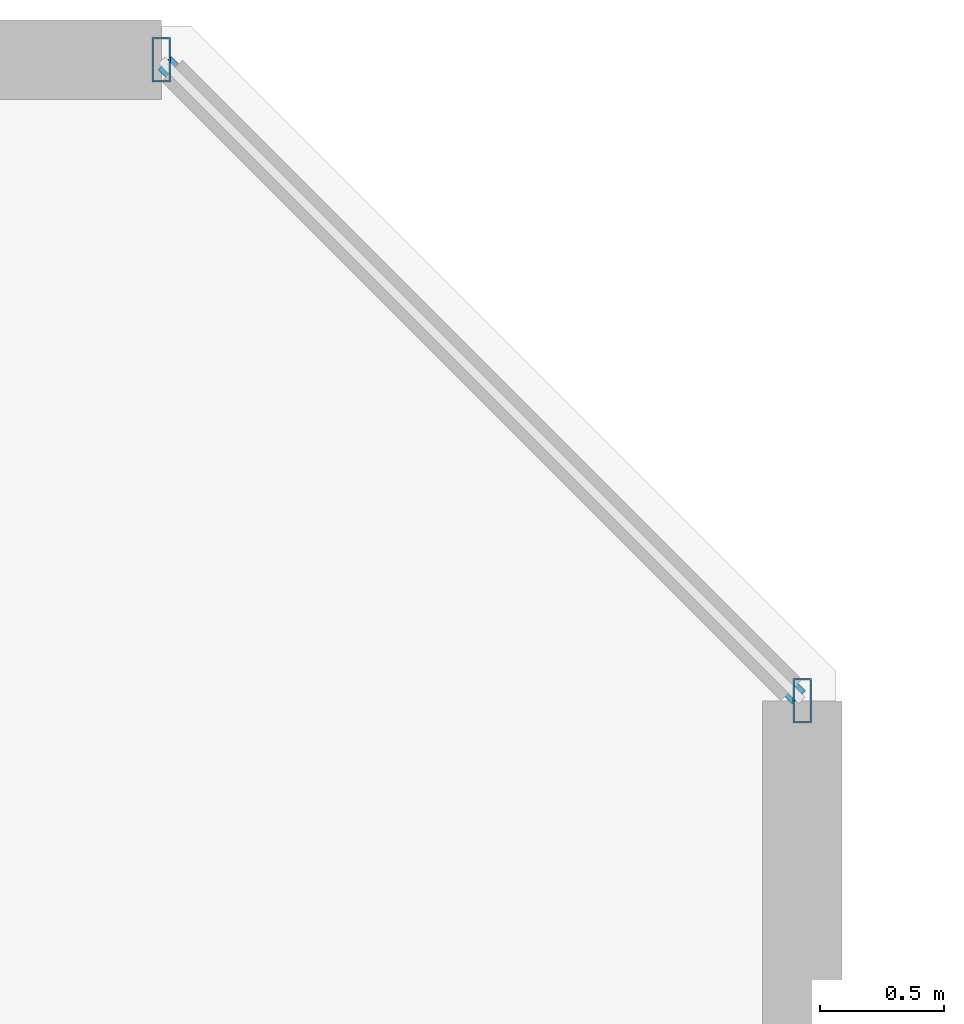
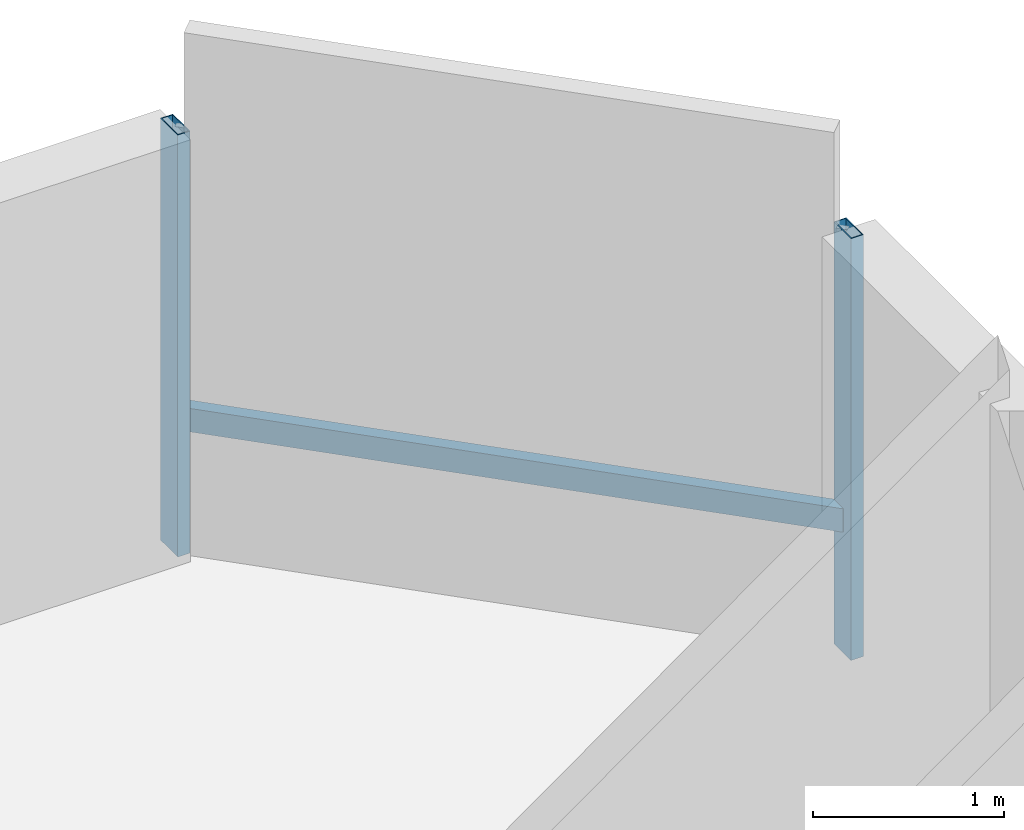
# One storey, part 16 of 32: 3 members, 1 element without a shape of its own.
"""IFC4 building model written with IfcOpenShell, lengths in metres."""

from ifc_helpers import new_model, si_unit, direction, frame, origin, origin_2d, place, context, subcontext, project, spatial, hollow_rectangle, extrude, material, material_profile, profile_set, type_object, element, aggregate, save


model = new_model("IFC4")

# Units and contexts
model_context = context("Model", 3, precision=1e-05, world=origin(), true_north=direction((0.0, 1.0)))
body_context = subcontext(model_context, "Body", "Model", "MODEL_VIEW")
ifc_project = project(units=[si_unit("LENGTHUNIT", "METRE"), si_unit("AREAUNIT", "SQUARE_METRE"), si_unit("VOLUMEUNIT", "CUBIC_METRE"), si_unit("PLANEANGLEUNIT", "RADIAN"), si_unit("MASSUNIT", "GRAM", prefix="KILO")], contexts=[model_context])

# Site, building, storey
site_placement = place(None, origin())
site = spatial("IfcSite", under=ifc_project, at=site_placement, CompositionType="ELEMENT")
building_placement = place(site_placement, origin())
building = spatial("IfcBuilding", under=site, at=building_placement, Name="Thornwick Lancets Civic Towers", CompositionType="ELEMENT")
storey_placement = place(building_placement, frame((0.0, 0.0, 247.5)))
storey = spatial("IfcBuildingStorey", under=building, at=storey_placement, Name="L66", CompositionType="ELEMENT", Elevation=247.5)

# Curtain wall, members
ifc_material_1 = material(Name="High-zone chamfered-corner unitised glass curtain wall", Category="glass")
curtain_wall_type = type_object("IfcCurtainWallType", Name="CW_SYS_05", PredefinedType="NOTDEFINED", material=ifc_material_1)
curtain_wall_placement = place(storey_placement, origin())
curtain_wall = element("IfcCurtainWall", 1, at=curtain_wall_placement, inside=storey, type_object=curtain_wall_type, Name="L66 Curtain Wall CW-L66-B-E3", PredefinedType="NOTDEFINED")
ifc_material_2 = material(Name="Thermally broken bronze aluminium S355", Category="steel")
ifc_material_profile_1 = material_profile(ifc_material_2, hollow_rectangle(XDim=0.074951171875, YDim=0.179931640625, WallThickness=0.006103515625, at=origin_2d()), Name="RHS 180x75x6")
ifc_profile_set_1 = profile_set([ifc_material_profile_1], Name="Thermally broken bronze aluminium S355")
member_type_1 = type_object("IfcMemberType", Name="CW_MUL_180", PredefinedType="MULLION", material=ifc_profile_set_1)
member_1_placement = place(storey_placement, frame((112.2646484375, 42.181396484375, 0.0), z_axis=(0.0, 0.0, 1.0), x_axis=(1.0, 0.0, 0.0)))
member_1 = element("IfcMember", 2, at=member_1_placement, type_object=member_type_1, Name="CW-L66-B-E3 Mullion 0", PredefinedType="MULLION", context=body_context, shape_type="SweptSolid", body=[
    extrude(hollow_rectangle(XDim=0.074951171875, YDim=0.179931640625, WallThickness=0.006103515625, at=origin_2d()), origin(), (0.0, 0.0, 1.0), 2.699951171875),
])
member_2_placement = place(storey_placement, frame((109.681396484375, 44.7646484375, 0.0), z_axis=(0.0, 0.0, 1.0), x_axis=(1.0, 0.0, 0.0)))
member_2 = element("IfcMember", 3, at=member_2_placement, type_object=member_type_1, Name="CW-L66-B-E3 Mullion 1", PredefinedType="MULLION", context=body_context, shape_type="SweptSolid", body=[
    extrude(hollow_rectangle(XDim=0.074951171875, YDim=0.179931640625, WallThickness=0.006103515625, at=origin_2d()), origin(), (0.0, 0.0, 1.0), 2.699951171875),
])
ifc_material_profile_2 = material_profile(ifc_material_2, hollow_rectangle(XDim=0.074951171875, YDim=0.14990234375, WallThickness=0.0048828125, at=origin_2d()), Name="RHS 150x75x5")
ifc_profile_set_2 = profile_set([ifc_material_profile_2], Name="Thermally broken bronze aluminium S355")
member_type_2 = type_object("IfcMemberType", Name="CW_TRN_150", PredefinedType="USERDEFINED", material=ifc_profile_set_2)
member_3_placement = place(storey_placement, frame((112.25048828125, 42.195556640625, 0.85009765625), z_axis=(-0.707106781187, 0.707106781187, 0.0), x_axis=(-0.707106781187, -0.707106781187, 0.0)))
member_3 = element("IfcMember", 4, at=member_3_placement, type_object=member_type_2, Name="CW-L66-B-E3 Transom 0", ObjectType="TRANSOM", PredefinedType="USERDEFINED", context=body_context, shape_type="SweptSolid", body=[
    extrude(hollow_rectangle(XDim=0.074951171875, YDim=0.14990234375, WallThickness=0.0048828125, at=origin_2d()), origin(), (0.0, 0.0, 1.0), 3.61328125),
])
aggregate(curtain_wall, [member_1, member_2, member_3])

save(model, "model.ifc")
